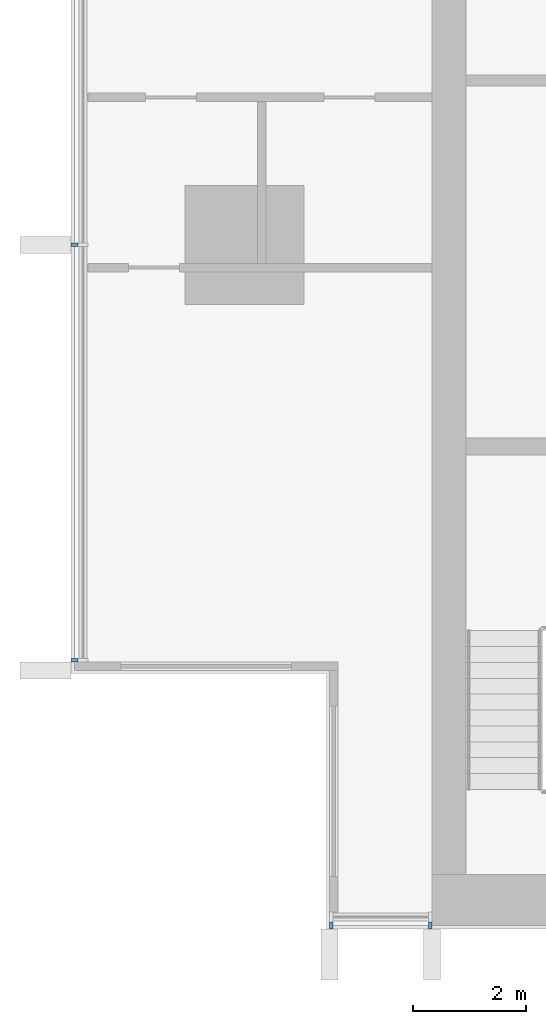
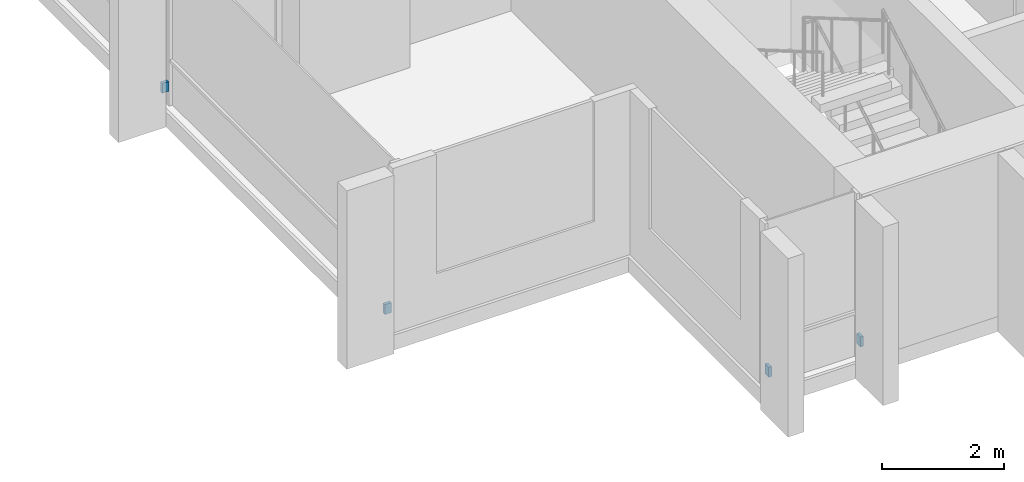
# One storey, part 12 of 16: 4 discrete accessories.
"""IFC4 building model written with IfcOpenShell, lengths in metres."""

from ifc_helpers import new_model, si_unit, direction, frame, origin, origin_2d, place, context, subcontext, project, spatial, rectangle, extrude, material, type_object, element, save


model = new_model("IFC4")

# Units and contexts
model_context = context("Model", 3, precision=1e-05, world=origin(), true_north=direction((0.0, 1.0)))
body_context = subcontext(model_context, "Body", "Model", "MODEL_VIEW")
ifc_project = project(units=[si_unit("LENGTHUNIT", "METRE"), si_unit("AREAUNIT", "SQUARE_METRE"), si_unit("VOLUMEUNIT", "CUBIC_METRE"), si_unit("PLANEANGLEUNIT", "RADIAN"), si_unit("MASSUNIT", "GRAM", prefix="KILO")], contexts=[model_context])

# Site, building, storey
site_placement = place(None, origin())
site = spatial("IfcSite", under=ifc_project, at=site_placement, CompositionType="ELEMENT")
building_placement = place(site_placement, origin())
building = spatial("IfcBuilding", under=site, at=building_placement, Name="Finial Court Residences", CompositionType="ELEMENT")
storey_placement = place(building_placement, frame((0.0, 0.0, 223.10009765625)))
storey = spatial("IfcBuildingStorey", under=building, at=storey_placement, Name="L56", CompositionType="ELEMENT", Elevation=223.10009765625)

# Discrete accessories
ifc_material = material(Name="Stainless steel 316", Category="steel")
discrete_accessory_type = type_object("IfcDiscreteAccessoryType", Name="Fin bracket, stainless steel 60 x 122 x 200", PredefinedType="BRACKET", material=ifc_material)
for number, where, z_axis, x_axis, name in (
    (1, (-14.969970703125, -25.498779296875, 0.2998046875), (0.0, 0.0, 1.0), (1.0, 0.0, 0.0), "E-L56-FIN-S13-BRK"),
    (2, (-13.22998046875, -25.498779296875, 0.2998046875), (0.0, 0.0, 1.0), (1.0, 0.0, 0.0), "E-L56-FIN-S14-BRK"),
):
    element("IfcDiscreteAccessory", number, at=place(storey_placement, frame(where, z_axis=z_axis, x_axis=x_axis)), inside=storey, type_object=discrete_accessory_type, Name=name, PredefinedType="BRACKET", context=body_context, shape_type="SweptSolid", body=[
        extrude(rectangle(XDim=0.06005859375, YDim=0.12255859375, at=origin_2d()), origin(), (0.0, 0.0, 1.0), 0.199951171875),
    ])
for number, where, z_axis, x_axis, name in (
    (3, (-19.498779296875, -20.820068359375, 0.2998046875), (0.0, 0.0, 1.0), (1.0, 0.0, 0.0), "E-L56-FIN-W21-BRK"),
    (4, (-19.498779296875, -13.5, 0.2998046875), (0.0, 0.0, 1.0), (1.0, 0.0, 0.0), "E-L56-FIN-W22-BRK"),
):
    element("IfcDiscreteAccessory", number, at=place(storey_placement, frame(where, z_axis=z_axis, x_axis=x_axis)), inside=storey, type_object=discrete_accessory_type, Name=name, PredefinedType="BRACKET", context=body_context, shape_type="SweptSolid", body=[
        extrude(rectangle(XDim=0.12255859375, YDim=0.06005859375, at=origin_2d()), origin(), (0.0, 0.0, 1.0), 0.199951171875),
    ])

save(model, "model.ifc")
